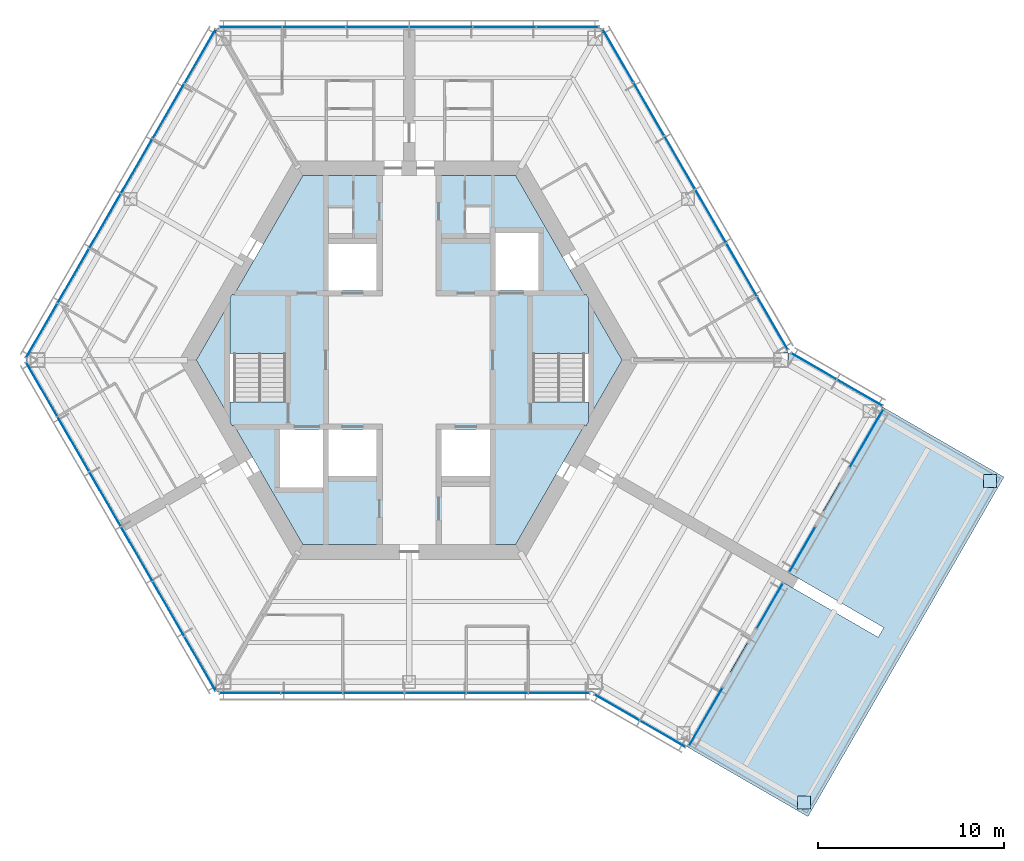
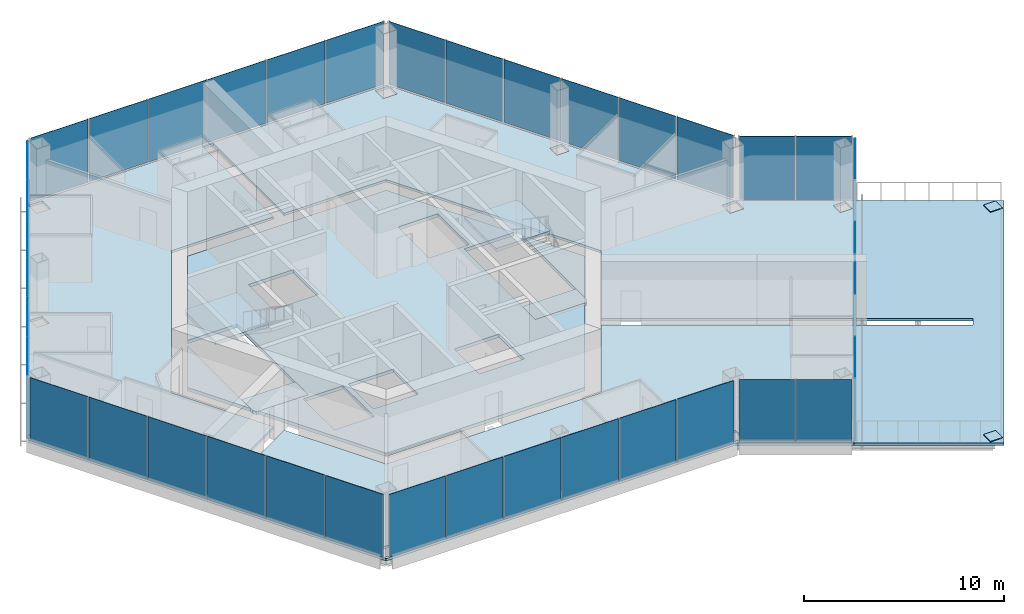
# One storey, part 6 of 13: 40 plates, 9 slabs, 13 elements without a shape of their own.
"""IFC4 building model written with IfcOpenShell, lengths in metres."""

from ifc_helpers import new_model, si_unit, direction, frame, origin, origin_2d, place, context, subcontext, project, spatial, polyline, rectangle, outline, extrude, material, layer, layer_set, type_object, element, aggregate, save


model = new_model("IFC4")

# Units and contexts
model_context = context("Model", 3, precision=1e-05, world=origin(), true_north=direction((0.0, 1.0)))
body_context = subcontext(model_context, "Body", "Model", "MODEL_VIEW")
ifc_project = project(units=[si_unit("LENGTHUNIT", "METRE"), si_unit("AREAUNIT", "SQUARE_METRE"), si_unit("VOLUMEUNIT", "CUBIC_METRE"), si_unit("PLANEANGLEUNIT", "RADIAN"), si_unit("MASSUNIT", "GRAM", prefix="KILO")], contexts=[model_context])

# Site, building, storey
site_placement = place(None, origin())
site = spatial("IfcSite", under=ifc_project, at=site_placement, CompositionType="ELEMENT")
building_placement = place(site_placement, origin())
building = spatial("IfcBuilding", under=site, at=building_placement, Name="Kasaneha Research Tower", CompositionType="ELEMENT")
storey_placement = place(building_placement, frame((0.0, 0.0, 267.39990234375)))
storey = spatial("IfcBuildingStorey", under=building, at=storey_placement, Name="L67", CompositionType="ELEMENT", Elevation=267.39990234375)

# Curtain wall, plates
ifc_material_1 = material(Name="Glass and aluminium", Category="aluminium")
curtain_wall_type = type_object("IfcCurtainWallType", Name="Crown curtain wall", PredefinedType="USERDEFINED", material=ifc_material_1)
curtain_wall_1_placement = place(storey_placement, origin())
curtain_wall_1 = element("IfcCurtainWall", 1, at=curtain_wall_1_placement, inside=storey, type_object=curtain_wall_type, Name="CW-C L67 run 01a", ObjectType="UNITISED CURTAIN WALL", PredefinedType="USERDEFINED")
ifc_material_2 = material(Name="Laminated double glazing", Category="glass")
ifc_layer_1 = layer(ifc_material_2, 0.02587890625)
ifc_layer_set_1 = layer_set([ifc_layer_1], Name="CW-C glazed panel")
plate_type_1 = type_object("IfcPlateType", Name="CW-C glazed panel", PredefinedType="CURTAIN_PANEL", material=ifc_layer_set_1)
plate_1_placement = place(storey_placement, frame((19.549072265625, 1.981201171875, 0.06005859375), z_axis=(0.0, 0.0, 1.0), x_axis=(-0.499999979232, 0.866025415775, 0.0)))
plate_1 = element("IfcPlate", 2, at=plate_1_placement, type_object=plate_type_1, Name="CW-C panel 1", PredefinedType="CURTAIN_PANEL", context=body_context, shape_type="SweptSolid", body=[
    extrude(rectangle(XDim=3.240966796875, YDim=0.02587890625, at=origin_2d()), origin(), (0.0, 0.0, 1.0), 3.840087890625),
])
plate_2_placement = place(storey_placement, frame((17.89111328125, 4.852783203125, 0.06005859375), z_axis=(0.0, 0.0, 1.0), x_axis=(-0.499999979232, 0.866025415775, 0.0)))
plate_2 = element("IfcPlate", 3, at=plate_2_placement, type_object=plate_type_1, Name="CW-C panel 2", PredefinedType="CURTAIN_PANEL", context=body_context, shape_type="SweptSolid", body=[
    extrude(rectangle(XDim=3.27099609375, YDim=0.02587890625, at=origin_2d()), origin(), (0.0, 0.0, 1.0), 3.840087890625),
])
plate_3_placement = place(storey_placement, frame((16.2255859375, 7.737548828125, 0.06005859375), z_axis=(0.0, 0.0, 1.0), x_axis=(-0.499999979232, 0.866025415775, 0.0)))
plate_3 = element("IfcPlate", 4, at=plate_3_placement, type_object=plate_type_1, Name="CW-C panel 3", PredefinedType="CURTAIN_PANEL", context=body_context, shape_type="SweptSolid", body=[
    extrude(rectangle(XDim=3.27099609375, YDim=0.02587890625, at=origin_2d()), origin(), (0.0, 0.0, 1.0), 3.840087890625),
])
plate_4_placement = place(storey_placement, frame((14.56005859375, 10.622314453125, 0.06005859375), z_axis=(0.0, 0.0, 1.0), x_axis=(-0.499999979232, 0.866025415775, 0.0)))
plate_4 = element("IfcPlate", 5, at=plate_4_placement, type_object=plate_type_1, Name="CW-C panel 4", PredefinedType="CURTAIN_PANEL", context=body_context, shape_type="SweptSolid", body=[
    extrude(rectangle(XDim=3.27099609375, YDim=0.02587890625, at=origin_2d()), origin(), (0.0, 0.0, 1.0), 3.840087890625),
])
plate_5_placement = place(storey_placement, frame((12.89453125, 13.5068359375, 0.06005859375), z_axis=(0.0, 0.0, 1.0), x_axis=(-0.499999979232, 0.866025415775, 0.0)))
plate_5 = element("IfcPlate", 6, at=plate_5_placement, type_object=plate_type_1, Name="CW-C panel 5", PredefinedType="CURTAIN_PANEL", context=body_context, shape_type="SweptSolid", body=[
    extrude(rectangle(XDim=3.27099609375, YDim=0.02587890625, at=origin_2d()), origin(), (0.0, 0.0, 1.0), 3.840087890625),
])
plate_6_placement = place(storey_placement, frame((11.236572265625, 16.378662109375, 0.06005859375), z_axis=(0.0, 0.0, 1.0), x_axis=(-0.499999979232, 0.866025415775, 0.0)))
plate_6 = element("IfcPlate", 7, at=plate_6_placement, type_object=plate_type_1, Name="CW-C panel 6", PredefinedType="CURTAIN_PANEL", context=body_context, shape_type="SweptSolid", body=[
    extrude(rectangle(XDim=3.240966796875, YDim=0.02587890625, at=origin_2d()), origin(), (0.0, 0.0, 1.0), 3.840087890625),
])
aggregate(curtain_wall_1, [plate_1, plate_2, plate_3, plate_4, plate_5, plate_6])

curtain_wall_2_placement = place(storey_placement, origin())
curtain_wall_2 = element("IfcCurtainWall", 8, at=curtain_wall_2_placement, inside=storey, type_object=curtain_wall_type, Name="CW-C L67 run 02a", ObjectType="UNITISED CURTAIN WALL", PredefinedType="USERDEFINED")
plate_7_placement = place(storey_placement, frame((8.523681640625, 17.92041015625, 0.06005859375), z_axis=(0.0, 0.0, 1.0), x_axis=(-1.0, 0.0, 0.0)))
plate_7 = element("IfcPlate", 9, at=plate_7_placement, type_object=plate_type_1, Name="CW-C panel 1", PredefinedType="CURTAIN_PANEL", context=body_context, shape_type="SweptSolid", body=[
    extrude(rectangle(XDim=3.325439453125, YDim=0.02587890625, at=origin_2d()), origin(), (0.0, 0.0, 1.0), 3.840087890625),
])
plate_8_placement = place(storey_placement, frame((5.123291015625, 17.92041015625, 0.06005859375), z_axis=(0.0, 0.0, 1.0), x_axis=(-1.0, 0.0, 0.0)))
plate_8 = element("IfcPlate", 10, at=plate_8_placement, type_object=plate_type_1, Name="CW-C panel 2", PredefinedType="CURTAIN_PANEL", context=body_context, shape_type="SweptSolid", body=[
    extrude(rectangle(XDim=3.35546875, YDim=0.02587890625, at=origin_2d()), origin(), (0.0, 0.0, 1.0), 3.840087890625),
])
plate_9_placement = place(storey_placement, frame((1.707763671875, 17.92041015625, 0.06005859375), z_axis=(0.0, 0.0, 1.0), x_axis=(-1.0, 0.0, 0.0)))
plate_9 = element("IfcPlate", 11, at=plate_9_placement, type_object=plate_type_1, Name="CW-C panel 3", PredefinedType="CURTAIN_PANEL", context=body_context, shape_type="SweptSolid", body=[
    extrude(rectangle(XDim=3.35546875, YDim=0.02587890625, at=origin_2d()), origin(), (0.0, 0.0, 1.0), 3.840087890625),
])
plate_10_placement = place(storey_placement, frame((-1.707763671875, 17.92041015625, 0.06005859375), z_axis=(0.0, 0.0, 1.0), x_axis=(-1.0, 0.0, 0.0)))
plate_10 = element("IfcPlate", 12, at=plate_10_placement, type_object=plate_type_1, Name="CW-C panel 4", PredefinedType="CURTAIN_PANEL", context=body_context, shape_type="SweptSolid", body=[
    extrude(rectangle(XDim=3.35546875, YDim=0.02587890625, at=origin_2d()), origin(), (0.0, 0.0, 1.0), 3.840087890625),
])
plate_11_placement = place(storey_placement, frame((-5.123291015625, 17.92041015625, 0.06005859375), z_axis=(0.0, 0.0, 1.0), x_axis=(-1.0, 0.0, 0.0)))
plate_11 = element("IfcPlate", 13, at=plate_11_placement, type_object=plate_type_1, Name="CW-C panel 5", PredefinedType="CURTAIN_PANEL", context=body_context, shape_type="SweptSolid", body=[
    extrude(rectangle(XDim=3.35546875, YDim=0.02587890625, at=origin_2d()), origin(), (0.0, 0.0, 1.0), 3.840087890625),
])
plate_12_placement = place(storey_placement, frame((-8.523681640625, 17.92041015625, 0.06005859375), z_axis=(0.0, 0.0, 1.0), x_axis=(-1.0, 0.0, 0.0)))
plate_12 = element("IfcPlate", 14, at=plate_12_placement, type_object=plate_type_1, Name="CW-C panel 6", PredefinedType="CURTAIN_PANEL", context=body_context, shape_type="SweptSolid", body=[
    extrude(rectangle(XDim=3.325439453125, YDim=0.02587890625, at=origin_2d()), origin(), (0.0, 0.0, 1.0), 3.840087890625),
])
aggregate(curtain_wall_2, [plate_7, plate_8, plate_9, plate_10, plate_11, plate_12])

curtain_wall_3_placement = place(storey_placement, origin())
curtain_wall_3 = element("IfcCurtainWall", 15, at=curtain_wall_3_placement, inside=storey, type_object=curtain_wall_type, Name="CW-C L67 run 03a", ObjectType="UNITISED CURTAIN WALL", PredefinedType="USERDEFINED")
plate_13_placement = place(storey_placement, frame((-11.2578125, 16.342041015625, 0.06005859375), z_axis=(0.0, 0.0, 1.0), x_axis=(-0.499999995722, -0.866025406254, 0.0)))
plate_13 = element("IfcPlate", 16, at=plate_13_placement, type_object=plate_type_1, Name="CW-C panel 1", PredefinedType="CURTAIN_PANEL", context=body_context, shape_type="SweptSolid", body=[
    extrude(rectangle(XDim=3.325439453125, YDim=0.02587890625, at=origin_2d()), origin(), (0.0, 0.0, 1.0), 3.840087890625),
])
plate_14_placement = place(storey_placement, frame((-12.9580078125, 13.39697265625, 0.06005859375), z_axis=(0.0, 0.0, 1.0), x_axis=(-0.499999995722, -0.866025406254, 0.0)))
plate_14 = element("IfcPlate", 17, at=plate_14_placement, type_object=plate_type_1, Name="CW-C panel 2", PredefinedType="CURTAIN_PANEL", context=body_context, shape_type="SweptSolid", body=[
    extrude(rectangle(XDim=3.35546875, YDim=0.02587890625, at=origin_2d()), origin(), (0.0, 0.0, 1.0), 3.840087890625),
])
plate_15_placement = place(storey_placement, frame((-14.665771484375, 10.439208984375, 0.06005859375), z_axis=(0.0, 0.0, 1.0), x_axis=(-0.499999995722, -0.866025406254, 0.0)))
plate_15 = element("IfcPlate", 18, at=plate_15_placement, type_object=plate_type_1, Name="CW-C panel 3", PredefinedType="CURTAIN_PANEL", context=body_context, shape_type="SweptSolid", body=[
    extrude(rectangle(XDim=3.35546875, YDim=0.02587890625, at=origin_2d()), origin(), (0.0, 0.0, 1.0), 3.840087890625),
])
plate_16_placement = place(storey_placement, frame((-16.37353515625, 7.481201171875, 0.06005859375), z_axis=(0.0, 0.0, 1.0), x_axis=(-0.499999995722, -0.866025406254, 0.0)))
plate_16 = element("IfcPlate", 19, at=plate_16_placement, type_object=plate_type_1, Name="CW-C panel 4", PredefinedType="CURTAIN_PANEL", context=body_context, shape_type="SweptSolid", body=[
    extrude(rectangle(XDim=3.35546875, YDim=0.02587890625, at=origin_2d()), origin(), (0.0, 0.0, 1.0), 3.840087890625),
])
plate_17_placement = place(storey_placement, frame((-18.081298828125, 4.5234375, 0.06005859375), z_axis=(0.0, 0.0, 1.0), x_axis=(-0.499999995722, -0.866025406254, 0.0)))
plate_17 = element("IfcPlate", 20, at=plate_17_placement, type_object=plate_type_1, Name="CW-C panel 5", PredefinedType="CURTAIN_PANEL", context=body_context, shape_type="SweptSolid", body=[
    extrude(rectangle(XDim=3.35546875, YDim=0.02587890625, at=origin_2d()), origin(), (0.0, 0.0, 1.0), 3.840087890625),
])
plate_18_placement = place(storey_placement, frame((-19.781494140625, 1.57861328125, 0.06005859375), z_axis=(0.0, 0.0, 1.0), x_axis=(-0.499999995722, -0.866025406254, 0.0)))
plate_18 = element("IfcPlate", 21, at=plate_18_placement, type_object=plate_type_1, Name="CW-C panel 6", PredefinedType="CURTAIN_PANEL", context=body_context, shape_type="SweptSolid", body=[
    extrude(rectangle(XDim=3.325439453125, YDim=0.02587890625, at=origin_2d()), origin(), (0.0, 0.0, 1.0), 3.840087890625),
])
aggregate(curtain_wall_3, [plate_13, plate_14, plate_15, plate_16, plate_17, plate_18])

curtain_wall_4_placement = place(storey_placement, origin())
curtain_wall_4 = element("IfcCurtainWall", 22, at=curtain_wall_4_placement, inside=storey, type_object=curtain_wall_type, Name="CW-C L67 run 04a", ObjectType="UNITISED CURTAIN WALL", PredefinedType="USERDEFINED")
plate_19_placement = place(storey_placement, frame((-19.781494140625, -1.57861328125, 0.06005859375), z_axis=(0.0, 0.0, 1.0), x_axis=(0.499999995722, -0.866025406254, 0.0)))
plate_19 = element("IfcPlate", 23, at=plate_19_placement, type_object=plate_type_1, Name="CW-C panel 1", PredefinedType="CURTAIN_PANEL", context=body_context, shape_type="SweptSolid", body=[
    extrude(rectangle(XDim=3.325439453125, YDim=0.02587890625, at=origin_2d()), origin(), (0.0, 0.0, 1.0), 3.840087890625),
])
plate_20_placement = place(storey_placement, frame((-18.081298828125, -4.5234375, 0.06005859375), z_axis=(0.0, 0.0, 1.0), x_axis=(0.499999995722, -0.866025406254, 0.0)))
plate_20 = element("IfcPlate", 24, at=plate_20_placement, type_object=plate_type_1, Name="CW-C panel 2", PredefinedType="CURTAIN_PANEL", context=body_context, shape_type="SweptSolid", body=[
    extrude(rectangle(XDim=3.35546875, YDim=0.02587890625, at=origin_2d()), origin(), (0.0, 0.0, 1.0), 3.840087890625),
])
plate_21_placement = place(storey_placement, frame((-16.37353515625, -7.481201171875, 0.06005859375), z_axis=(0.0, 0.0, 1.0), x_axis=(0.499999995722, -0.866025406254, 0.0)))
plate_21 = element("IfcPlate", 25, at=plate_21_placement, type_object=plate_type_1, Name="CW-C panel 3", PredefinedType="CURTAIN_PANEL", context=body_context, shape_type="SweptSolid", body=[
    extrude(rectangle(XDim=3.35546875, YDim=0.02587890625, at=origin_2d()), origin(), (0.0, 0.0, 1.0), 3.840087890625),
])
plate_22_placement = place(storey_placement, frame((-14.665771484375, -10.439208984375, 0.06005859375), z_axis=(0.0, 0.0, 1.0), x_axis=(0.499999995722, -0.866025406254, 0.0)))
plate_22 = element("IfcPlate", 26, at=plate_22_placement, type_object=plate_type_1, Name="CW-C panel 4", PredefinedType="CURTAIN_PANEL", context=body_context, shape_type="SweptSolid", body=[
    extrude(rectangle(XDim=3.35546875, YDim=0.02587890625, at=origin_2d()), origin(), (0.0, 0.0, 1.0), 3.840087890625),
])
plate_23_placement = place(storey_placement, frame((-12.9580078125, -13.39697265625, 0.06005859375), z_axis=(0.0, 0.0, 1.0), x_axis=(0.499999995722, -0.866025406254, 0.0)))
plate_23 = element("IfcPlate", 27, at=plate_23_placement, type_object=plate_type_1, Name="CW-C panel 5", PredefinedType="CURTAIN_PANEL", context=body_context, shape_type="SweptSolid", body=[
    extrude(rectangle(XDim=3.35546875, YDim=0.02587890625, at=origin_2d()), origin(), (0.0, 0.0, 1.0), 3.840087890625),
])
plate_24_placement = place(storey_placement, frame((-11.2578125, -16.342041015625, 0.06005859375), z_axis=(0.0, 0.0, 1.0), x_axis=(0.499999995722, -0.866025406254, 0.0)))
plate_24 = element("IfcPlate", 28, at=plate_24_placement, type_object=plate_type_1, Name="CW-C panel 6", PredefinedType="CURTAIN_PANEL", context=body_context, shape_type="SweptSolid", body=[
    extrude(rectangle(XDim=3.325439453125, YDim=0.02587890625, at=origin_2d()), origin(), (0.0, 0.0, 1.0), 3.840087890625),
])
aggregate(curtain_wall_4, [plate_19, plate_20, plate_21, plate_22, plate_23, plate_24])

curtain_wall_5_placement = place(storey_placement, origin())
curtain_wall_5 = element("IfcCurtainWall", 29, at=curtain_wall_5_placement, inside=storey, type_object=curtain_wall_type, Name="CW-C L67 run 05a", ObjectType="UNITISED CURTAIN WALL", PredefinedType="USERDEFINED")
plate_25_placement = place(storey_placement, frame((-8.56591796875, -17.92041015625, 0.06005859375), z_axis=(0.0, 0.0, 1.0), x_axis=(1.0, 0.0, 0.0)))
plate_25 = element("IfcPlate", 30, at=plate_25_placement, type_object=plate_type_1, Name="CW-C panel 1", PredefinedType="CURTAIN_PANEL", context=body_context, shape_type="SweptSolid", body=[
    extrude(rectangle(XDim=3.240966796875, YDim=0.02587890625, at=origin_2d()), origin(), (0.0, 0.0, 1.0), 3.840087890625),
])
plate_26_placement = place(storey_placement, frame((-5.25, -17.92041015625, 0.06005859375), z_axis=(0.0, 0.0, 1.0), x_axis=(1.0, 0.0, 0.0)))
plate_26 = element("IfcPlate", 31, at=plate_26_placement, type_object=plate_type_1, Name="CW-C panel 2", PredefinedType="CURTAIN_PANEL", context=body_context, shape_type="SweptSolid", body=[
    extrude(rectangle(XDim=3.27099609375, YDim=0.02587890625, at=origin_2d()), origin(), (0.0, 0.0, 1.0), 3.840087890625),
])
plate_27_placement = place(storey_placement, frame((-1.9189453125, -17.92041015625, 0.06005859375), z_axis=(0.0, 0.0, 1.0), x_axis=(1.0, 0.0, 0.0)))
plate_27 = element("IfcPlate", 32, at=plate_27_placement, type_object=plate_type_1, Name="CW-C panel 3", PredefinedType="CURTAIN_PANEL", context=body_context, shape_type="SweptSolid", body=[
    extrude(rectangle(XDim=3.27099609375, YDim=0.02587890625, at=origin_2d()), origin(), (0.0, 0.0, 1.0), 3.840087890625),
])
plate_28_placement = place(storey_placement, frame((1.411865234375, -17.92041015625, 0.06005859375), z_axis=(0.0, 0.0, 1.0), x_axis=(1.0, 0.0, 0.0)))
plate_28 = element("IfcPlate", 33, at=plate_28_placement, type_object=plate_type_1, Name="CW-C panel 4", PredefinedType="CURTAIN_PANEL", context=body_context, shape_type="SweptSolid", body=[
    extrude(rectangle(XDim=3.27099609375, YDim=0.02587890625, at=origin_2d()), origin(), (0.0, 0.0, 1.0), 3.840087890625),
])
plate_29_placement = place(storey_placement, frame((4.742919921875, -17.92041015625, 0.06005859375), z_axis=(0.0, 0.0, 1.0), x_axis=(1.0, 0.0, 0.0)))
plate_29 = element("IfcPlate", 34, at=plate_29_placement, type_object=plate_type_1, Name="CW-C panel 5", PredefinedType="CURTAIN_PANEL", context=body_context, shape_type="SweptSolid", body=[
    extrude(rectangle(XDim=3.27099609375, YDim=0.02587890625, at=origin_2d()), origin(), (0.0, 0.0, 1.0), 3.840087890625),
])
plate_30_placement = place(storey_placement, frame((8.058837890625, -17.92041015625, 0.06005859375), z_axis=(0.0, 0.0, 1.0), x_axis=(1.0, 0.0, 0.0)))
plate_30 = element("IfcPlate", 35, at=plate_30_placement, type_object=plate_type_1, Name="CW-C panel 6", PredefinedType="CURTAIN_PANEL", context=body_context, shape_type="SweptSolid", body=[
    extrude(rectangle(XDim=3.240966796875, YDim=0.02587890625, at=origin_2d()), origin(), (0.0, 0.0, 1.0), 3.840087890625),
])
aggregate(curtain_wall_5, [plate_25, plate_26, plate_27, plate_28, plate_29, plate_30])

curtain_wall_6_placement = place(storey_placement, origin())
curtain_wall_6 = element("IfcCurtainWall", 36, at=curtain_wall_6_placement, inside=storey, type_object=curtain_wall_type, Name="CW-C L67 run 06a", ObjectType="UNITISED CURTAIN WALL", PredefinedType="USERDEFINED")
plate_31_placement = place(storey_placement, frame((11.181396484375, -18.6953125, 0.06005859375), z_axis=(0.0, 0.0, 1.0), x_axis=(0.866025443395, -0.499999931393, 0.0)))
plate_31 = element("IfcPlate", 37, at=plate_31_placement, type_object=plate_type_1, Name="CW-C panel 1", PredefinedType="CURTAIN_PANEL", context=body_context, shape_type="SweptSolid", body=[
    extrude(rectangle(XDim=2.779541015625, YDim=0.02587890625, at=origin_2d()), origin(), (0.0, 0.0, 1.0), 3.840087890625),
])
plate_32_placement = place(storey_placement, frame((13.640625, -20.115234375, 0.06005859375), z_axis=(0.0, 0.0, 1.0), x_axis=(0.866025443395, -0.499999931393, 0.0)))
plate_32 = element("IfcPlate", 38, at=plate_32_placement, type_object=plate_type_1, Name="CW-C panel 2", PredefinedType="CURTAIN_PANEL", context=body_context, shape_type="SweptSolid", body=[
    extrude(rectangle(XDim=2.779541015625, YDim=0.02587890625, at=origin_2d()), origin(), (0.0, 0.0, 1.0), 3.840087890625),
])
aggregate(curtain_wall_6, [plate_31, plate_32])

# Curtain wall, plate
curtain_wall_7_placement = place(storey_placement, origin())
curtain_wall_7 = element("IfcCurtainWall", 39, at=curtain_wall_7_placement, inside=storey, type_object=curtain_wall_type, Name="CW-C L67 run 07a", ObjectType="UNITISED CURTAIN WALL", PredefinedType="USERDEFINED")
plate_33_placement = place(storey_placement, frame((15.957763671875, -19.201416015625, 0.06005859375), z_axis=(0.0, 0.0, 1.0), x_axis=(0.500000011442, 0.866025397178, 0.0)))
plate_33 = element("IfcPlate", 40, at=plate_33_placement, type_object=plate_type_1, Name="CW-C panel 1", PredefinedType="CURTAIN_PANEL", context=body_context, shape_type="SweptSolid", body=[
    extrude(rectangle(XDim=3.580078125, YDim=0.02587890625, at=origin_2d()), origin(), (0.0, 0.0, 1.0), 3.840087890625),
])
aggregate(curtain_wall_7, [plate_33])

curtain_wall_8_placement = place(storey_placement, origin())
curtain_wall_8 = element("IfcCurtainWall", 41, at=curtain_wall_8_placement, inside=storey, type_object=curtain_wall_type, Name="CW-C L67 run 07c", ObjectType="UNITISED CURTAIN WALL", PredefinedType="USERDEFINED")
plate_34_placement = place(storey_placement, frame((19.40771484375, -13.225830078125, 0.06005859375), z_axis=(0.0, 0.0, 1.0), x_axis=(0.500000011442, 0.866025397178, 0.0)))
plate_34 = element("IfcPlate", 42, at=plate_34_placement, type_object=plate_type_1, Name="CW-C panel 1", PredefinedType="CURTAIN_PANEL", context=body_context, shape_type="SweptSolid", body=[
    extrude(rectangle(XDim=2.780029296875, YDim=0.02587890625, at=origin_2d()), origin(), (0.0, 0.0, 1.0), 3.840087890625),
])
aggregate(curtain_wall_8, [plate_34])

curtain_wall_9_placement = place(storey_placement, origin())
curtain_wall_9 = element("IfcCurtainWall", 43, at=curtain_wall_9_placement, inside=storey, type_object=curtain_wall_type, Name="CW-C L67 run 08a", ObjectType="UNITISED CURTAIN WALL", PredefinedType="USERDEFINED")
plate_35_placement = place(storey_placement, frame((21.15771484375, -10.19482421875, 0.06005859375), z_axis=(0.0, 0.0, 1.0), x_axis=(0.500000011442, 0.866025397178, 0.0)))
plate_35 = element("IfcPlate", 44, at=plate_35_placement, type_object=plate_type_1, Name="CW-C panel 1", PredefinedType="CURTAIN_PANEL", context=body_context, shape_type="SweptSolid", body=[
    extrude(rectangle(XDim=2.780029296875, YDim=0.02587890625, at=origin_2d()), origin(), (0.0, 0.0, 1.0), 3.840087890625),
])
aggregate(curtain_wall_9, [plate_35])

curtain_wall_10_placement = place(storey_placement, origin())
curtain_wall_10 = element("IfcCurtainWall", 45, at=curtain_wall_10_placement, inside=storey, type_object=curtain_wall_type, Name="CW-C L67 run 08c", ObjectType="UNITISED CURTAIN WALL", PredefinedType="USERDEFINED")
plate_36_placement = place(storey_placement, frame((24.607666015625, -4.21923828125, 0.06005859375), z_axis=(0.0, 0.0, 1.0), x_axis=(0.500000011442, 0.866025397178, 0.0)))
plate_36 = element("IfcPlate", 46, at=plate_36_placement, type_object=plate_type_1, Name="CW-C panel 1", PredefinedType="CURTAIN_PANEL", context=body_context, shape_type="SweptSolid", body=[
    extrude(rectangle(XDim=3.580078125, YDim=0.02587890625, at=origin_2d()), origin(), (0.0, 0.0, 1.0), 3.840087890625),
])
aggregate(curtain_wall_10, [plate_36])

# Curtain wall, plates
curtain_wall_11_placement = place(storey_placement, origin())
curtain_wall_11 = element("IfcCurtainWall", 47, at=curtain_wall_11_placement, inside=storey, type_object=curtain_wall_type, Name="CW-C L67 run 09a", ObjectType="UNITISED CURTAIN WALL", PredefinedType="USERDEFINED")
plate_37_placement = place(storey_placement, frame((24.240478515625, -1.75537109375, 0.06005859375), z_axis=(0.0, 0.0, 1.0), x_axis=(-0.866025443395, 0.499999931393, 0.0)))
plate_37 = element("IfcPlate", 48, at=plate_37_placement, type_object=plate_type_1, Name="CW-C panel 1", PredefinedType="CURTAIN_PANEL", context=body_context, shape_type="SweptSolid", body=[
    extrude(rectangle(XDim=2.779541015625, YDim=0.02587890625, at=origin_2d()), origin(), (0.0, 0.0, 1.0), 3.840087890625),
])
plate_38_placement = place(storey_placement, frame((21.781494140625, -0.335693359375, 0.06005859375), z_axis=(0.0, 0.0, 1.0), x_axis=(-0.866025443395, 0.499999931393, 0.0)))
plate_38 = element("IfcPlate", 49, at=plate_38_placement, type_object=plate_type_1, Name="CW-C panel 2", PredefinedType="CURTAIN_PANEL", context=body_context, shape_type="SweptSolid", body=[
    extrude(rectangle(XDim=2.779541015625, YDim=0.02587890625, at=origin_2d()), origin(), (0.0, 0.0, 1.0), 3.840087890625),
])
aggregate(curtain_wall_11, [plate_37, plate_38])

# Plates
ifc_material_3 = material(Name="Steel SN490C", Category="steel")
ifc_layer_2 = layer(ifc_material_3, 0.0400390625)
ifc_layer_set_2 = layer_set([ifc_layer_2], Name="Column cap plate 40")
plate_type_2 = type_object("IfcPlateType", Name="Column cap plate 40", PredefinedType="USERDEFINED", material=ifc_layer_set_2)
for number, where, z_axis, x_axis, name in (
    (50, (21.25830078125, -23.820556640625, 0.0), (0.0, 0.0, 1.0), (1.0, 0.0, 0.0), "Column cap plate CTP L66"),
    (51, (31.25830078125, -6.5, 0.0), (0.0, 0.0, 1.0), (1.0, 0.0, 0.0), "Column cap plate CTN L66"),
):
    element("IfcPlate", number, at=place(storey_placement, frame(where, z_axis=z_axis, x_axis=x_axis)), inside=storey, type_object=plate_type_2, Name=name, ObjectType="PLATE", PredefinedType="USERDEFINED", context=body_context, shape_type="SweptSolid", body=[
        extrude(rectangle(XDim=0.699951171875, YDim=0.699951171875, at=origin_2d()), origin(), (0.0, 0.0, 1.0), 0.0400390625),
    ])

# Slabs
ifc_material_4 = material(Name="Concrete Fc24", Category="concrete")
ifc_layer_3 = layer(ifc_material_4, 0.199951171875)
ifc_layer_set_3 = layer_set([ifc_layer_3], Name="Core floor slab 200")
slab_type_1 = type_object("IfcSlabType", Name="Core floor slab 200", PredefinedType="FLOOR", material=ifc_layer_set_3)
slab_1_placement = place(storey_placement, frame((0.0, 0.0, -0.199951171875)))
element("IfcSlab", 52, at=slab_1_placement, inside=storey, type_object=slab_type_1, Name="Core slab L67", PredefinedType="FLOOR", context=body_context, shape_type="SweptSolid", body=[
    extrude(outline(polyline([(-11.46044921875, 0.0), (-9.64990234375, 3.1357421875), (-9.64990234375, -3.1357421875), (-11.46044921875, 0.0)])), origin(), (0.0, 0.0, 1.0), 0.199951171875),
])
slab_2_placement = place(storey_placement, frame((0.0, 0.0, -0.199951171875)))
element("IfcSlab", 53, at=slab_2_placement, inside=storey, type_object=slab_type_1, Name="Core slab L67", PredefinedType="FLOOR", context=body_context, shape_type="SweptSolid", body=[
    extrude(outline(polyline([(-5.730224609375, 9.925048828125), (5.730224609375, 9.925048828125), (9.410888671875, 3.550048828125), (6.550048828125, 3.550048828125), (6.550048828125, -3.550048828125), (9.410888671875, -3.550048828125), (5.730224609375, -9.925048828125), (-5.730224609375, -9.925048828125), (-9.410888671875, -3.550048828125), (-6.550048828125, -3.550048828125), (-6.550048828125, 3.550048828125), (-9.410888671875, 3.550048828125), (-5.730224609375, 9.925048828125)]), holes=[polyline([(-6.949951171875, -6.85009765625), (-4.64990234375, -6.85009765625), (-4.64990234375, -3.75), (-6.949951171875, -3.75), (-6.949951171875, -6.85009765625)]), polyline([(-4.35009765625, -3.75), (-4.35009765625, -6.25), (-1.75, -6.25), (-1.75, -3.75), (-4.35009765625, -3.75)]), polyline([(1.75, -3.75), (1.75, -6.25), (4.35009765625, -6.25), (4.35009765625, -3.75), (1.75, -3.75)]), polyline([(-4.35009765625, 6.25), (-4.35009765625, 3.75), (-1.75, 3.75), (-1.75, 6.25), (-4.35009765625, 6.25)]), polyline([(4.64990234375, 6.85009765625), (4.64990234375, 3.75), (6.949951171875, 3.75), (6.949951171875, 6.85009765625), (4.64990234375, 6.85009765625)])]), origin(), (0.0, 0.0, 1.0), 0.199951171875),
])
slab_3_placement = place(storey_placement, frame((0.0, 0.0, -0.199951171875)))
element("IfcSlab", 54, at=slab_3_placement, inside=storey, type_object=slab_type_1, Name="Core slab L67", PredefinedType="FLOOR", context=body_context, shape_type="SweptSolid", body=[
    extrude(outline(polyline([(11.46044921875, 0.0), (9.64990234375, -3.1357421875), (9.64990234375, 3.1357421875), (11.46044921875, 0.0)])), origin(), (0.0, 0.0, 1.0), 0.199951171875),
])
ifc_material_5 = material(Name="Concrete Fc24", Category="concrete")
ifc_layer_4 = layer(ifc_material_5, 0.14990234375)
ifc_layer_set_4 = layer_set([ifc_layer_4], Name="Floor slab 150")
slab_type_2 = type_object("IfcSlabType", Name="Floor slab 150", PredefinedType="FLOOR", material=ifc_layer_set_4)
slab_4_placement = place(storey_placement, frame((0.0, 0.0, -0.14990234375)))
element("IfcSlab", 55, at=slab_4_placement, inside=storey, type_object=slab_type_2, Name="Floor slab L67 1", PredefinedType="FLOOR", context=body_context, shape_type="SweptSolid", body=[
    extrude(outline(polyline([(12.38427734375, 0.0), (6.192138671875, 10.72509765625), (0.300048828125, 10.72509765625), (0.300048828125, 17.7705078125), (-0.300048828125, 17.7705078125), (-0.300048828125, 10.72509765625), (-6.192138671875, 10.72509765625), (-12.38427734375, 0.0), (-9.438232421875, -5.102783203125), (-15.539794921875, -8.62548828125), (-15.23974609375, -9.14501953125), (-9.13818359375, -5.622314453125), (-6.192138671875, -10.72509765625), (6.192138671875, -10.72509765625), (9.13818359375, -5.622314453125), (20.08935546875, -11.945068359375), (14.96435546875, -20.82177734375), (9.8525390625, -17.87060546875), (-10.317626953125, -17.87060546875), (-10.3974609375, -17.732177734375), (-10.385986328125, -17.720703125), (-9.599853515625, -17.720703125), (-9.599853515625, -16.92041015625), (-10.400146484375, -16.92041015625), (-10.400146484375, -17.70654296875), (-10.40771484375, -17.714111328125), (-20.635009765625, 0.0), (-20.40771484375, 0.3935546875), (-20.400146484375, 0.385986328125), (-20.400146484375, -0.400146484375), (-19.599853515625, -0.400146484375), (-19.599853515625, 0.400146484375), (-20.385986328125, 0.400146484375), (-20.3974609375, 0.41162109375), (-10.40771484375, 17.714111328125), (-10.400146484375, 17.70654296875), (-10.400146484375, 16.92041015625), (-9.599853515625, 16.92041015625), (-9.599853515625, 17.720703125), (-10.385986328125, 17.720703125), (-10.3974609375, 17.732177734375), (-10.317626953125, 17.87060546875), (10.317626953125, 17.87060546875), (10.3974609375, 17.732177734375), (10.385986328125, 17.720703125), (9.599853515625, 17.720703125), (9.599853515625, 16.92041015625), (10.400146484375, 16.92041015625), (10.400146484375, 17.70654296875), (10.40771484375, 17.714111328125), (20.3974609375, 0.41162109375), (20.385986328125, 0.400146484375), (19.599853515625, 0.400146484375), (19.599853515625, -0.400146484375), (20.400146484375, -0.400146484375), (20.400146484375, 0.385986328125), (20.41162109375, 0.3974609375), (25.514404296875, -2.548583984375), (20.389404296875, -11.425537109375), (9.438232421875, -5.102783203125), (12.38427734375, 0.0)]), holes=[polyline([(-0.35009765625, -17.67041015625), (0.35009765625, -17.67041015625), (0.35009765625, -16.970458984375), (-0.35009765625, -16.970458984375), (-0.35009765625, -17.67041015625)]), polyline([(-15.35009765625, 8.310302734375), (-14.64990234375, 8.310302734375), (-14.64990234375, 9.01025390625), (-15.35009765625, 9.01025390625), (-15.35009765625, 8.310302734375)]), polyline([(14.4130859375, -20.42041015625), (15.113037109375, -20.42041015625), (15.113037109375, -19.720458984375), (14.4130859375, -19.720458984375), (14.4130859375, -20.42041015625)]), polyline([(9.60009765625, -17.720458984375), (10.39990234375, -17.720458984375), (10.39990234375, -16.92041015625), (9.60009765625, -16.92041015625), (9.60009765625, -17.720458984375)]), polyline([(24.4130859375, -3.10009765625), (25.113037109375, -3.10009765625), (25.113037109375, -2.39990234375), (24.4130859375, -2.39990234375), (24.4130859375, -3.10009765625)]), polyline([(14.64990234375, 9.01025390625), (14.64990234375, 8.310302734375), (15.35009765625, 8.310302734375), (15.35009765625, 9.01025390625), (14.64990234375, 9.01025390625)])]), origin(), (0.0, 0.0, 1.0), 0.14990234375),
])

# Stair, slabs
ifc_material_6 = material(Name="Concrete Fc24", Category="concrete")
stair_type = type_object("IfcStairType", Name="Half-turn stair 22 risers", PredefinedType="HALF_TURN_STAIR", material=ifc_material_6)
stair_1_placement = place(storey_placement, origin())
stair_1 = element("IfcStair", 56, at=stair_1_placement, inside=storey, type_object=stair_type, Name="Stair 1 L67", PredefinedType="HALF_TURN_STAIR")
ifc_material_7 = material(Name="Concrete Fc24", Category="concrete")
ifc_layer_5 = layer(ifc_material_7, 0.199951171875)
ifc_layer_set_5 = layer_set([ifc_layer_5], Name="Stair 1 landing 200")
slab_type_3 = type_object("IfcSlabType", Name="Stair 1 landing 200", PredefinedType="LANDING", material=ifc_layer_set_5)
slab_5_placement = place(storey_placement, frame((0.0, 0.0, -0.199951171875)))
slab_5 = element("IfcSlab", 57, at=slab_5_placement, type_object=slab_type_3, Name="ST1-22R landing 1", PredefinedType="LANDING", context=body_context, shape_type="SweptSolid", body=[
    extrude(outline(polyline([(9.5263671875, -3.550048828125), (6.550048828125, -3.550048828125), (6.550048828125, -2.25), (9.64990234375, -2.25), (9.64990234375, -3.335693359375), (9.5263671875, -3.550048828125)])), origin(), (0.0, 0.0, 1.0), 0.199951171875),
])
slab_6_placement = place(storey_placement, frame((0.0, 0.0, 1.75)))
slab_6 = element("IfcSlab", 58, at=slab_6_placement, type_object=slab_type_3, Name="ST1-22R landing 2", PredefinedType="LANDING", context=body_context, shape_type="SweptSolid", body=[
    extrude(outline(polyline([(6.550048828125, 3.550048828125), (9.5263671875, 3.550048828125), (9.64990234375, 3.335693359375), (9.64990234375, 0.35009765625), (6.550048828125, 0.35009765625), (6.550048828125, 3.550048828125)])), origin(), (0.0, 0.0, 1.0), 0.2001953125),
])
aggregate(stair_1, [slab_5, slab_6])

stair_2_placement = place(storey_placement, origin())
stair_2 = element("IfcStair", 59, at=stair_2_placement, inside=storey, type_object=stair_type, Name="Stair 2 L67", PredefinedType="HALF_TURN_STAIR")
ifc_material_8 = material(Name="Concrete Fc24", Category="concrete")
ifc_layer_6 = layer(ifc_material_8, 0.199951171875)
ifc_layer_set_6 = layer_set([ifc_layer_6], Name="Stair 2 landing 200")
slab_type_4 = type_object("IfcSlabType", Name="Stair 2 landing 200", PredefinedType="LANDING", material=ifc_layer_set_6)
slab_7_placement = place(storey_placement, frame((0.0, 0.0, -0.199951171875)))
slab_7 = element("IfcSlab", 60, at=slab_7_placement, type_object=slab_type_4, Name="ST2-22R landing 1", PredefinedType="LANDING", context=body_context, shape_type="SweptSolid", body=[
    extrude(outline(polyline([(-6.550048828125, -3.550048828125), (-9.5263671875, -3.550048828125), (-9.64990234375, -3.335693359375), (-9.64990234375, -2.25), (-6.550048828125, -2.25), (-6.550048828125, -3.550048828125)])), origin(), (0.0, 0.0, 1.0), 0.199951171875),
])
slab_8_placement = place(storey_placement, frame((0.0, 0.0, 1.75)))
slab_8 = element("IfcSlab", 61, at=slab_8_placement, type_object=slab_type_4, Name="ST2-22R landing 2", PredefinedType="LANDING", context=body_context, shape_type="SweptSolid", body=[
    extrude(outline(polyline([(-6.550048828125, 0.35009765625), (-9.64990234375, 0.35009765625), (-9.64990234375, 3.335693359375), (-9.5263671875, 3.550048828125), (-6.550048828125, 3.550048828125), (-6.550048828125, 0.35009765625)])), origin(), (0.0, 0.0, 1.0), 0.2001953125),
])
aggregate(stair_2, [slab_7, slab_8])

# Slab
ifc_material_9 = material(Name="Concrete Fc24", Category="concrete")
ifc_layer_7 = layer(ifc_material_9, 0.14990234375)
ifc_layer_set_7 = layer_set([ifc_layer_7], Name="Terrace slab 150")
slab_type_5 = type_object("IfcSlabType", Name="Terrace slab 150", PredefinedType="ROOF", material=ifc_layer_set_7)
slab_9_placement = place(storey_placement, frame((0.0, 0.0, -0.14990234375)))
element("IfcSlab", 62, at=slab_9_placement, inside=storey, type_object=slab_type_5, Name="Terrace C deck margin", PredefinedType="ROOF", context=body_context, shape_type="SweptSolid", body=[
    extrude(outline(polyline([(32.009521484375, -6.298583984375), (21.459716796875, -24.57177734375), (14.96435546875, -20.82177734375), (20.08935546875, -11.945068359375), (25.2421875, -14.920166015625), (25.542236328125, -14.400390625), (20.389404296875, -11.425537109375), (25.514404296875, -2.548583984375), (32.009521484375, -6.298583984375)]), holes=[polyline([(21.6083984375, -23.470458984375), (20.908447265625, -23.470458984375), (20.908447265625, -24.17041015625), (21.6083984375, -24.17041015625), (21.6083984375, -23.470458984375)]), polyline([(31.6083984375, -6.14990234375), (30.908447265625, -6.14990234375), (30.908447265625, -6.85009765625), (31.6083984375, -6.85009765625), (31.6083984375, -6.14990234375)])]), origin(), (0.0, 0.0, 1.0), 0.14990234375),
])

save(model, "model.ifc")
